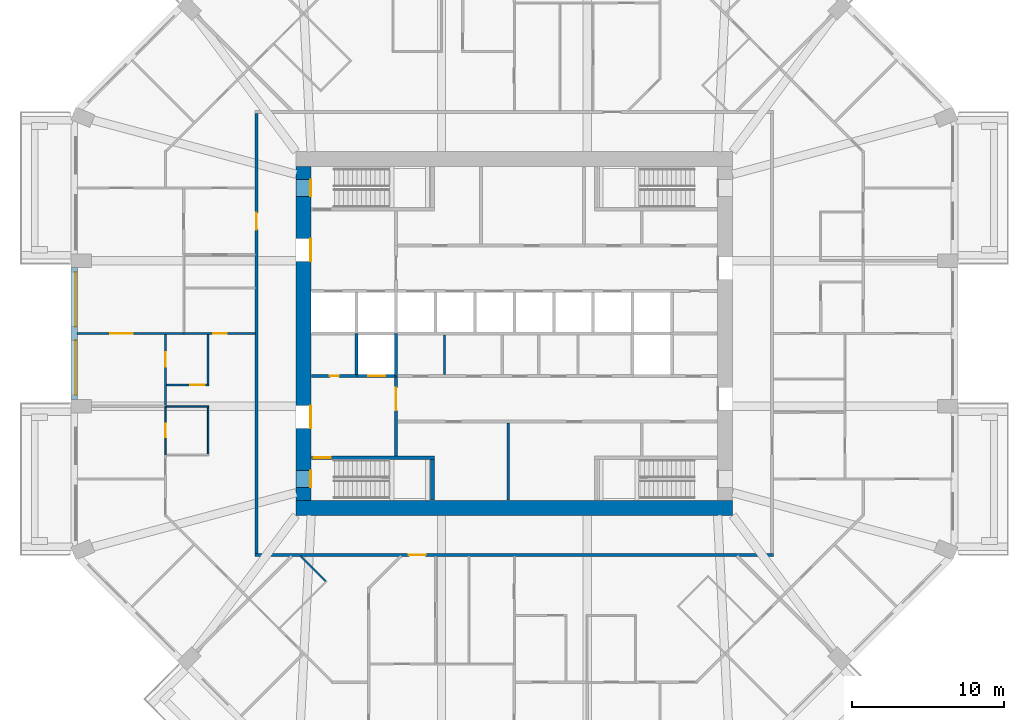
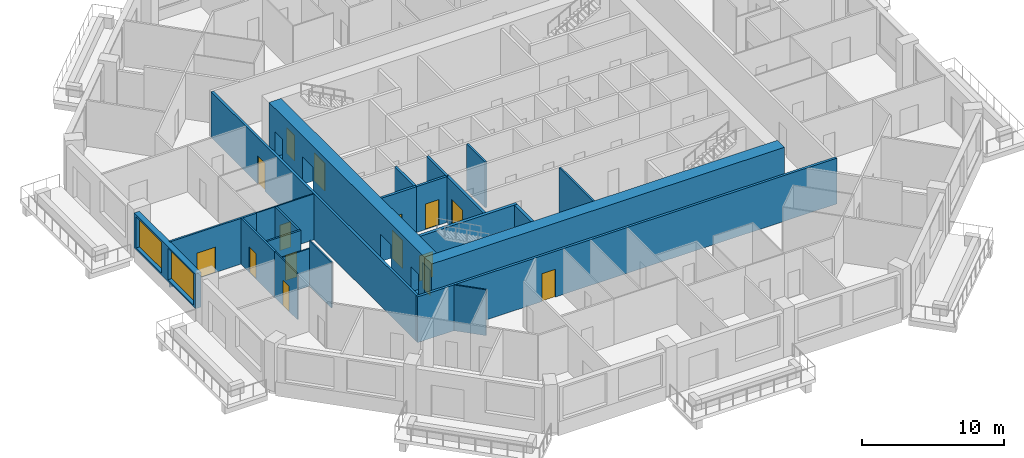
# One storey, part 4 of 13: 23 walls, 15 doors, 2 windows, 17 openings.
"""IFC4 building model written with IfcOpenShell, lengths in metres."""

from ifc_helpers import new_model, si_unit, direction, frame, frame_2d, origin, place, context, subcontext, project, spatial, rectangle, extrude, material, layer, layer_set, type_object, element, fill, save


model = new_model("IFC4")

# Units and contexts
model_context = context("Model", 3, precision=1e-05, world=origin(), true_north=direction((0.0, 1.0)))
body_context = subcontext(model_context, "Body", "Model", "MODEL_VIEW")
ifc_project = project(units=[si_unit("LENGTHUNIT", "METRE"), si_unit("AREAUNIT", "SQUARE_METRE"), si_unit("VOLUMEUNIT", "CUBIC_METRE"), si_unit("PLANEANGLEUNIT", "RADIAN"), si_unit("MASSUNIT", "GRAM", prefix="KILO")], contexts=[model_context])

# Site, building, storey
site_placement = place(None, origin())
site = spatial("IfcSite", under=ifc_project, at=site_placement, CompositionType="ELEMENT")
building_placement = place(site_placement, origin())
building = spatial("IfcBuilding", under=site, at=building_placement, Name="Msitu Wima Residences", CompositionType="ELEMENT")
storey_placement = place(building_placement, frame((0.0, 0.0, 29.699951171875)))
storey = spatial("IfcBuildingStorey", under=building, at=storey_placement, Name="L06", CompositionType="ELEMENT", Elevation=29.699951171875)

# Wall, openings, windows
ifc_material_1 = material(Name="Brick (red buff mix)", Category="masonry")
ifc_layer_1 = layer(ifc_material_1, 0.449951171875)
ifc_layer_set_1 = layer_set([ifc_layer_1], Name="Brick (red buff mix)")
wall_type_1 = type_object("IfcWallType", Name="Brick infill wall BW450", PredefinedType="SOLIDWALL", material=ifc_layer_set_1)
wall_1_placement = place(storey_placement, frame((-29.02490234375, 4.35009765625, 0.900146484375), z_axis=(0.0, 0.0, 1.0), x_axis=(0.0, -1.0, 0.0)))
wall_1 = element("IfcWall", 1, at=wall_1_placement, inside=storey, type_object=wall_type_1, Name="Brick infill wall L06 W1", PredefinedType="SOLIDWALL", context=body_context, shape_type="SweptSolid", body=[
    extrude(rectangle(XDim=8.7001953125, YDim=0.449951171875, at=frame_2d((4.35009765625, 0.0))), origin(), (0.0, 0.0, 1.0), 3.0),
])
opening_1_placement = place(wall_1_placement, frame((0.300048828125, 0.0, 0.14990234375)))
opening_1 = element("IfcOpeningElement", 2, at=opening_1_placement, cuts=wall_1, Name="Opening W05-07.028", PredefinedType="OPENING", context=body_context, shape_type="SweptSolid", body=[
    extrude(rectangle(XDim=3.60009765625, YDim=2.699951171875, at=frame_2d((1.800048828125, 1.35009765625))), frame((0.0, 0.23486328125, 0.0), z_axis=(0.0, -1.0, 0.0), x_axis=(1.0, 0.0, 0.0)), (0.0, 0.0, 1.0), 0.469970703125),
])
opening_2_placement = place(wall_1_placement, frame((4.800048828125, 0.0, 0.14990234375)))
opening_2 = element("IfcOpeningElement", 3, at=opening_2_placement, cuts=wall_1, Name="Opening W05-07.029", PredefinedType="OPENING", context=body_context, shape_type="SweptSolid", body=[
    extrude(rectangle(XDim=3.60009765625, YDim=2.699951171875, at=frame_2d((1.800048828125, 1.35009765625))), frame((0.0, 0.23486328125, 0.0), z_axis=(0.0, -1.0, 0.0), x_axis=(1.0, 0.0, 0.0)), (0.0, 0.0, 1.0), 0.469970703125),
])
ifc_material_2 = material(Name="Anodised aluminium, bronze finish, clear low-emissivity double glazing", Category="aluminium")
window_type = type_object("IfcWindowType", Name="Window W3600x2700", PartitioningType="DOUBLE_PANEL_VERTICAL", PredefinedType="WINDOW", material=ifc_material_2)
window_1_placement = place(opening_1_placement, origin())
window_1 = element("IfcWindow", 4, at=window_1_placement, inside=storey, type_object=window_type, Name="Window L06 W1.1", OverallHeight=2.699951171875, OverallWidth=3.60009765625, PartitioningType="SINGLE_PANEL", PredefinedType="WINDOW", context=body_context, shape_type="SweptSolid", body=[
    extrude(rectangle(XDim=3.60009765625, YDim=2.699951171875, at=frame_2d((1.800048828125, 1.35009765625))), frame((0.0, 0.135009765625, 0.0), z_axis=(0.0, -1.0, 0.0), x_axis=(1.0, 0.0, 0.0)), (0.0, 0.0, 1.0), 0.06005859375),
])
fill(opening_1, window_1)
window_2_placement = place(opening_2_placement, origin())
window_2 = element("IfcWindow", 5, at=window_2_placement, inside=storey, type_object=window_type, Name="Window L06 W1.2", OverallHeight=2.699951171875, OverallWidth=3.60009765625, PartitioningType="SINGLE_PANEL", PredefinedType="WINDOW", context=body_context, shape_type="SweptSolid", body=[
    extrude(rectangle(XDim=3.60009765625, YDim=2.699951171875, at=frame_2d((1.800048828125, 1.35009765625))), frame((0.0, 0.135009765625, 0.0), z_axis=(0.0, -1.0, 0.0), x_axis=(1.0, 0.0, 0.0)), (0.0, 0.0, 1.0), 0.06005859375),
])
fill(opening_2, window_2)

# Wall
ifc_material_3 = material(Name="Concrete C80/95", Category="concrete")
ifc_layer_2 = layer(ifc_material_3, 1.0)
ifc_layer_set_2 = layer_set([ifc_layer_2], Name="Concrete C80/95")
wall_type_2 = type_object("IfcWallType", Name="Core wall CW1000 C80/95", PredefinedType="SHEAR", material=ifc_layer_set_2)
wall_2_placement = place(storey_placement, frame((-14.39990234375, -11.5, 0.0), z_axis=(0.0, 0.0, 1.0), x_axis=(1.0, 0.0, 0.0)))
element("IfcWall", 6, at=wall_2_placement, inside=storey, type_object=wall_type_2, Name="Core wall", PredefinedType="SHEAR", context=body_context, shape_type="SweptSolid", body=[
    extrude(rectangle(XDim=28.7998046875, YDim=1.0, at=frame_2d((14.39990234375, 0.0))), origin(), (0.0, 0.0, 1.0), 4.199951171875),
])

# Wall, openings, doors
wall_3_placement = place(storey_placement, frame((-13.89990234375, -11.0, 0.0), z_axis=(0.0, 0.0, 1.0), x_axis=(0.0, 1.0, 0.0)))
wall_3 = element("IfcWall", 7, at=wall_3_placement, inside=storey, type_object=wall_type_2, Name="Core wall", PredefinedType="SHEAR", context=body_context, shape_type="SweptSolid", body=[
    extrude(rectangle(XDim=22.0, YDim=1.0, at=frame_2d((11.0, 0.0))), origin(), (0.0, 0.0, 1.0), 4.199951171875),
])
opening_3_placement = place(wall_3_placement, frame((20.050048828125, 0.0, 0.0)))
opening_3 = element("IfcOpeningElement", 8, at=opening_3_placement, cuts=wall_3, Name="Opening D05-07.036", PredefinedType="OPENING", context=body_context, shape_type="SweptSolid", body=[
    extrude(rectangle(XDim=1.10009765625, YDim=2.199951171875, at=frame_2d((0.550048828125, 1.10009765625))), frame((0.0, 0.510009765625, 0.0), z_axis=(0.0, -1.0, 0.0), x_axis=(1.0, 0.0, 0.0)), (0.0, 0.0, 1.0), 1.02001953125),
])
opening_4_placement = place(wall_3_placement, frame((0.85009765625, 0.0, 0.0)))
opening_4 = element("IfcOpeningElement", 9, at=opening_4_placement, cuts=wall_3, Name="Opening D05-07.038", PredefinedType="OPENING", context=body_context, shape_type="SweptSolid", body=[
    extrude(rectangle(XDim=1.10009765625, YDim=2.199951171875, at=frame_2d((0.550048828125, 1.10009765625))), frame((0.0, 0.510009765625, 0.0), z_axis=(0.0, -1.0, 0.0), x_axis=(1.0, 0.0, 0.0)), (0.0, 0.0, 1.0), 1.02001953125),
])
opening_5_placement = place(wall_3_placement, frame((15.75, 0.0, 0.0)))
opening_5 = element("IfcOpeningElement", 10, at=opening_5_placement, cuts=wall_3, Name="Opening D05-07.016", PredefinedType="OPENING", context=body_context, shape_type="SweptSolid", body=[
    extrude(rectangle(XDim=1.5, YDim=2.39990234375, at=frame_2d((0.75, 1.199951171875))), frame((0.0, 0.510009765625, 0.0), z_axis=(0.0, -1.0, 0.0), x_axis=(1.0, 0.0, 0.0)), (0.0, 0.0, 1.0), 1.02001953125),
])
opening_6_placement = place(wall_3_placement, frame((4.75, 0.0, 0.0)))
opening_6 = element("IfcOpeningElement", 11, at=opening_6_placement, cuts=wall_3, Name="Opening D05-07.018", PredefinedType="OPENING", context=body_context, shape_type="SweptSolid", body=[
    extrude(rectangle(XDim=1.5, YDim=2.39990234375, at=frame_2d((0.75, 1.199951171875))), frame((0.0, 0.510009765625, 0.0), z_axis=(0.0, -1.0, 0.0), x_axis=(1.0, 0.0, 0.0)), (0.0, 0.0, 1.0), 1.02001953125),
])
ifc_material_4 = material(Name="Steel framed glazed door, fire resisting", Category="steel")
door_type_1 = type_object("IfcDoorType", Name="Lobby door D07 1500x2400", OperationType="DOUBLE_DOOR_SINGLE_SWING", PredefinedType="DOOR", material=ifc_material_4)
door_1_placement = place(opening_5_placement, origin())
door_1 = element("IfcDoor", 12, at=door_1_placement, inside=storey, type_object=door_type_1, Name="Lobby door", OperationType="DOUBLE_DOOR_SINGLE_SWING", OverallHeight=2.39990234375, OverallWidth=1.5, PredefinedType="DOOR", context=body_context, shape_type="SweptSolid", body=[
    extrude(rectangle(XDim=1.5, YDim=2.39990234375, at=frame_2d((0.75, 1.199951171875))), frame((0.0, -0.44482421875, 0.0), z_axis=(0.0, -1.0, 0.0), x_axis=(1.0, 0.0, 0.0)), (0.0, 0.0, 1.0), 0.050048828125),
])
fill(opening_5, door_1)
door_2_placement = place(opening_6_placement, origin())
door_2 = element("IfcDoor", 13, at=door_2_placement, inside=storey, type_object=door_type_1, Name="Lobby door", OperationType="DOUBLE_DOOR_SINGLE_SWING", OverallHeight=2.39990234375, OverallWidth=1.5, PredefinedType="DOOR", context=body_context, shape_type="SweptSolid", body=[
    extrude(rectangle(XDim=1.5, YDim=2.39990234375, at=frame_2d((0.75, 1.199951171875))), frame((0.0, -0.44482421875, 0.0), z_axis=(0.0, -1.0, 0.0), x_axis=(1.0, 0.0, 0.0)), (0.0, 0.0, 1.0), 0.050048828125),
])
fill(opening_6, door_2)
ifc_material_5 = material(Name="Steel door, fire resisting, panic bar", Category="steel")
door_type_2 = type_object("IfcDoorType", Name="Stair door D06 1100x2200", OperationType="SINGLE_SWING_LEFT", PredefinedType="DOOR", material=ifc_material_5)
door_3_placement = place(opening_3_placement, origin())
door_3 = element("IfcDoor", 14, at=door_3_placement, inside=storey, type_object=door_type_2, Name="Stair door", OperationType="SINGLE_SWING_RIGHT", OverallHeight=2.199951171875, OverallWidth=1.10009765625, PredefinedType="DOOR", context=body_context, shape_type="SweptSolid", body=[
    extrude(rectangle(XDim=1.10009765625, YDim=2.199951171875, at=frame_2d((0.550048828125, 1.10009765625))), frame((0.0, -0.44482421875, 0.0), z_axis=(0.0, -1.0, 0.0), x_axis=(1.0, 0.0, 0.0)), (0.0, 0.0, 1.0), 0.050048828125),
])
fill(opening_3, door_3)
door_4_placement = place(opening_4_placement, origin())
door_4 = element("IfcDoor", 15, at=door_4_placement, inside=storey, type_object=door_type_2, Name="Stair door", OperationType="SINGLE_SWING_LEFT", OverallHeight=2.199951171875, OverallWidth=1.10009765625, PredefinedType="DOOR", context=body_context, shape_type="SweptSolid", body=[
    extrude(rectangle(XDim=1.10009765625, YDim=2.199951171875, at=frame_2d((0.550048828125, 1.10009765625))), frame((0.0, -0.44482421875, 0.0), z_axis=(0.0, -1.0, 0.0), x_axis=(1.0, 0.0, 0.0)), (0.0, 0.0, 1.0), 0.050048828125),
])
fill(opening_4, door_4)

# Wall, opening, door
ifc_material_6 = material(Name="Plaster")
ifc_layer_3 = layer(ifc_material_6, 0.011962890625, Name="Plaster")
ifc_material_7 = material(Name="Concrete blockwork", Category="masonry")
ifc_layer_4 = layer(ifc_material_7, 0.176025390625, Name="Concrete blockwork")
ifc_layer_5 = layer(ifc_material_6, 0.011962890625, Name="Plaster")
ifc_layer_set_3 = layer_set([ifc_layer_3, ifc_layer_4, ifc_layer_5], Name="Concrete blockwork")
wall_type_3 = type_object("IfcWallType", Name="Corridor wall FW200", PredefinedType="PARTITIONING", material=ifc_layer_set_3)
wall_4_placement = place(storey_placement, frame((-17.0, -14.5, 0.0), z_axis=(0.0, 0.0, 1.0), x_axis=(0.0, 1.0, 0.0)))
wall_4 = element("IfcWall", 16, at=wall_4_placement, inside=storey, type_object=wall_type_3, Name="Corridor wall", PredefinedType="PARTITIONING", context=body_context, shape_type="SweptSolid", body=[
    extrude(rectangle(XDim=29.0, YDim=0.199951171875, at=frame_2d((14.5, 0.0))), origin(), (0.0, 0.0, 1.0), 3.949951171875),
])
opening_7_placement = place(wall_4_placement, frame((21.35009765625, 0.0, 0.0)))
opening_7 = element("IfcOpeningElement", 17, at=opening_7_placement, cuts=wall_4, Name="Opening D05-07.013", PredefinedType="OPENING", context=body_context, shape_type="SweptSolid", body=[
    extrude(rectangle(XDim=1.10009765625, YDim=2.39990234375, at=frame_2d((0.550048828125, 1.199951171875))), frame((0.0, 0.10986328125, 0.0), z_axis=(0.0, -1.0, 0.0), x_axis=(1.0, 0.0, 0.0)), (0.0, 0.0, 1.0), 0.219970703125),
])
ifc_material_8 = material(Name="Timber flush door, fire resisting, self-closing", Category="wood")
door_type_3 = type_object("IfcDoorType", Name="Flat entrance door D01 1100x2400", OperationType="SINGLE_SWING_LEFT", PredefinedType="DOOR", material=ifc_material_8)
door_5_placement = place(opening_7_placement, origin())
door_5 = element("IfcDoor", 18, at=door_5_placement, inside=storey, type_object=door_type_3, Name="Flat entrance door", OperationType="SINGLE_SWING_RIGHT", OverallHeight=2.39990234375, OverallWidth=1.10009765625, PredefinedType="DOOR", context=body_context, shape_type="SweptSolid", body=[
    extrude(rectangle(XDim=1.10009765625, YDim=2.39990234375, at=frame_2d((0.550048828125, 1.199951171875))), frame((0.0, 0.02490234375, 0.0), z_axis=(0.0, -1.0, 0.0), x_axis=(1.0, 0.0, 0.0)), (0.0, 0.0, 1.0), 0.050048828125),
])
fill(opening_7, door_5)

wall_5_placement = place(storey_placement, frame((-17.10009765625, -14.60009765625, 0.0), z_axis=(0.0, 0.0, 1.0), x_axis=(1.0, 0.0, 0.0)))
wall_5 = element("IfcWall", 19, at=wall_5_placement, inside=storey, type_object=wall_type_3, Name="Corridor wall", PredefinedType="PARTITIONING", context=body_context, shape_type="SweptSolid", body=[
    extrude(rectangle(XDim=34.2001953125, YDim=0.199951171875, at=frame_2d((17.10009765625, 0.0))), origin(), (0.0, 0.0, 1.0), 3.949951171875),
])
opening_8_placement = place(wall_5_placement, frame((10.14990234375, 0.0, 0.0)))
opening_8 = element("IfcOpeningElement", 20, at=opening_8_placement, cuts=wall_5, Name="Opening D05-07.014", PredefinedType="OPENING", context=body_context, shape_type="SweptSolid", body=[
    extrude(rectangle(XDim=1.10009765625, YDim=2.39990234375, at=frame_2d((0.550048828125, 1.199951171875))), frame((0.0, 0.10986328125, 0.0), z_axis=(0.0, -1.0, 0.0), x_axis=(1.0, 0.0, 0.0)), (0.0, 0.0, 1.0), 0.219970703125),
])
door_6_placement = place(opening_8_placement, origin())
door_6 = element("IfcDoor", 21, at=door_6_placement, inside=storey, type_object=door_type_3, Name="Flat entrance door", OperationType="SINGLE_SWING_RIGHT", OverallHeight=2.39990234375, OverallWidth=1.10009765625, PredefinedType="DOOR", context=body_context, shape_type="SweptSolid", body=[
    extrude(rectangle(XDim=1.10009765625, YDim=2.39990234375, at=frame_2d((0.550048828125, 1.199951171875))), frame((0.0, 0.02490234375, 0.0), z_axis=(0.0, -1.0, 0.0), x_axis=(1.0, 0.0, 0.0)), (0.0, 0.0, 1.0), 0.050048828125),
])
fill(opening_8, door_6)

wall_6_placement = place(storey_placement, frame((-7.800048828125, -8.074951171875, 0.0), z_axis=(0.0, 0.0, 1.0), x_axis=(0.0, 1.0, 0.0)))
wall_6 = element("IfcWall", 22, at=wall_6_placement, inside=storey, type_object=wall_type_3, Name="Corridor wall", PredefinedType="PARTITIONING", context=body_context, shape_type="SweptSolid", body=[
    extrude(rectangle(XDim=5.27490234375, YDim=0.199951171875, at=frame_2d((2.637451171875, 0.0))), origin(), (0.0, 0.0, 1.0), 3.949951171875),
])
opening_9_placement = place(wall_6_placement, frame((3.0, 0.0, 0.0)))
opening_9 = element("IfcOpeningElement", 23, at=opening_9_placement, cuts=wall_6, Name="Opening D05-07.019", PredefinedType="OPENING", context=body_context, shape_type="SweptSolid", body=[
    extrude(rectangle(XDim=1.5, YDim=2.39990234375, at=frame_2d((0.75, 1.199951171875))), frame((0.0, 0.10986328125, 0.0), z_axis=(0.0, -1.0, 0.0), x_axis=(1.0, 0.0, 0.0)), (0.0, 0.0, 1.0), 0.219970703125),
])
door_7_placement = place(opening_9_placement, origin())
door_7 = element("IfcDoor", 24, at=door_7_placement, inside=storey, type_object=door_type_1, Name="Lobby door", OperationType="DOUBLE_DOOR_SINGLE_SWING", OverallHeight=2.39990234375, OverallWidth=1.5, PredefinedType="DOOR", context=body_context, shape_type="SweptSolid", body=[
    extrude(rectangle(XDim=1.5, YDim=2.39990234375, at=frame_2d((0.75, 1.199951171875))), frame((0.0, 0.02490234375, 0.0), z_axis=(0.0, -1.0, 0.0), x_axis=(1.0, 0.0, 0.0)), (0.0, 0.0, 1.0), 0.050048828125),
])
fill(opening_9, door_7)

ifc_layer_6 = layer(ifc_material_6, 0.011962890625, Name="Plaster")
ifc_layer_7 = layer(ifc_material_7, 0.1259765625, Name="Concrete blockwork")
ifc_layer_8 = layer(ifc_material_6, 0.011962890625, Name="Plaster")
ifc_layer_set_4 = layer_set([ifc_layer_6, ifc_layer_7, ifc_layer_8], Name="Concrete blockwork")
wall_type_4 = type_object("IfcWallType", Name="Partition PW150", PredefinedType="PARTITIONING", material=ifc_layer_set_4)
wall_7_placement = place(storey_placement, frame((-28.85498046875, 0.0, 0.0), z_axis=(0.0, 0.0, 1.0), x_axis=(1.0, 0.0, 0.0)))
wall_7 = element("IfcWall", 25, at=wall_7_placement, inside=storey, type_object=wall_type_4, Name="Partition", PredefinedType="PARTITIONING", context=body_context, shape_type="SweptSolid", body=[
    extrude(rectangle(XDim=7.054931640625, YDim=0.14990234375, at=frame_2d((3.52734375, 0.0))), origin(), (0.0, 0.0, 1.0), 3.949951171875),
])
opening_10_placement = place(wall_7_placement, frame((2.199951171875, 0.0, 0.0)))
opening_10 = element("IfcOpeningElement", 26, at=opening_10_placement, cuts=wall_7, Name="Opening D05-07.067", PredefinedType="OPENING", context=body_context, shape_type="SweptSolid", body=[
    extrude(rectangle(XDim=1.5, YDim=2.199951171875, at=frame_2d((0.75, 1.10009765625))), frame((0.0, 0.0849609375, 0.0), z_axis=(0.0, -1.0, 0.0), x_axis=(1.0, 0.0, 0.0)), (0.0, 0.0, 1.0), 0.169921875),
])
ifc_material_9 = material(Name="Timber double door", Category="wood")
door_type_4 = type_object("IfcDoorType", Name="Double door D04 1500x2200", OperationType="DOUBLE_DOOR_SINGLE_SWING", PredefinedType="DOOR", material=ifc_material_9)
door_8_placement = place(opening_10_placement, origin())
door_8 = element("IfcDoor", 27, at=door_8_placement, inside=storey, type_object=door_type_4, Name="Double door", OperationType="DOUBLE_DOOR_SINGLE_SWING", OverallHeight=2.199951171875, OverallWidth=1.5, PredefinedType="DOOR", context=body_context, shape_type="SweptSolid", body=[
    extrude(rectangle(XDim=1.5, YDim=2.199951171875, at=frame_2d((0.75, 1.10009765625))), frame((0.0, 0.02490234375, 0.0), z_axis=(0.0, -1.0, 0.0), x_axis=(1.0, 0.0, 0.0)), (0.0, 0.0, 1.0), 0.050048828125),
])
fill(opening_10, door_8)

wall_8_placement = place(storey_placement, frame((-23.0, -4.800048828125, 0.0), z_axis=(0.0, 0.0, 1.0), x_axis=(0.0, 1.0, 0.0)))
wall_8 = element("IfcWall", 28, at=wall_8_placement, inside=storey, type_object=wall_type_4, Name="Partition", PredefinedType="PARTITIONING", context=body_context, shape_type="SweptSolid", body=[
    extrude(rectangle(XDim=4.72509765625, YDim=0.14990234375, at=frame_2d((2.362548828125, 0.0))), origin(), (0.0, 0.0, 1.0), 3.949951171875),
])
opening_11_placement = place(wall_8_placement, frame((2.60009765625, 0.0, 0.0)))
opening_11 = element("IfcOpeningElement", 29, at=opening_11_placement, cuts=wall_8, Name="Opening D05-07.069", PredefinedType="OPENING", context=body_context, shape_type="SweptSolid", body=[
    extrude(rectangle(XDim=0.949951171875, YDim=2.199951171875, at=frame_2d((0.47509765625, 1.10009765625))), frame((0.0, 0.0849609375, 0.0), z_axis=(0.0, -1.0, 0.0), x_axis=(1.0, 0.0, 0.0)), (0.0, 0.0, 1.0), 0.169921875),
])
ifc_material_10 = material(Name="Timber flush door", Category="wood")
door_type_5 = type_object("IfcDoorType", Name="Room door D12 950x2200", OperationType="SINGLE_SWING_LEFT", PredefinedType="DOOR", material=ifc_material_10)
door_9_placement = place(opening_11_placement, origin())
door_9 = element("IfcDoor", 30, at=door_9_placement, inside=storey, type_object=door_type_5, Name="Room door", OperationType="SINGLE_SWING_RIGHT", OverallHeight=2.199951171875, OverallWidth=0.949951171875, PredefinedType="DOOR", context=body_context, shape_type="SweptSolid", body=[
    extrude(rectangle(XDim=0.949951171875, YDim=2.199951171875, at=frame_2d((0.47509765625, 1.10009765625))), frame((0.0, 0.02490234375, 0.0), z_axis=(0.0, -1.0, 0.0), x_axis=(1.0, 0.0, 0.0)), (0.0, 0.0, 1.0), 0.050048828125),
])
fill(opening_11, door_9)

wall_9_placement = place(storey_placement, frame((-22.925048828125, -3.39990234375, 0.0), z_axis=(0.0, 0.0, 1.0), x_axis=(1.0, 0.0, 0.0)))
wall_9 = element("IfcWall", 31, at=wall_9_placement, inside=storey, type_object=wall_type_4, Name="Partition", PredefinedType="PARTITIONING", context=body_context, shape_type="SweptSolid", body=[
    extrude(rectangle(XDim=2.800048828125, YDim=0.14990234375, at=frame_2d((1.39990234375, 0.0))), origin(), (0.0, 0.0, 1.0), 3.949951171875),
])
opening_12_placement = place(wall_9_placement, frame((1.550048828125, 0.0, 0.0)))
opening_12 = element("IfcOpeningElement", 32, at=opening_12_placement, cuts=wall_9, Name="Opening D05-07.071", PredefinedType="OPENING", context=body_context, shape_type="SweptSolid", body=[
    extrude(rectangle(XDim=0.949951171875, YDim=2.199951171875, at=frame_2d((0.47509765625, 1.10009765625))), frame((0.0, 0.0849609375, 0.0), z_axis=(0.0, -1.0, 0.0), x_axis=(1.0, 0.0, 0.0)), (0.0, 0.0, 1.0), 0.169921875),
])
door_10_placement = place(opening_12_placement, origin())
door_10 = element("IfcDoor", 33, at=door_10_placement, inside=storey, type_object=door_type_5, Name="Room door", OperationType="SINGLE_SWING_RIGHT", OverallHeight=2.199951171875, OverallWidth=0.949951171875, PredefinedType="DOOR", context=body_context, shape_type="SweptSolid", body=[
    extrude(rectangle(XDim=0.949951171875, YDim=2.199951171875, at=frame_2d((0.47509765625, 1.10009765625))), frame((0.0, 0.02490234375, 0.0), z_axis=(0.0, -1.0, 0.0), x_axis=(1.0, 0.0, 0.0)), (0.0, 0.0, 1.0), 0.050048828125),
])
fill(opening_12, door_10)

# Walls
wall_10_placement = place(storey_placement, frame((-20.199951171875, -3.324951171875, 0.0), z_axis=(0.0, 0.0, 1.0), x_axis=(0.0, 1.0, 0.0)))
element("IfcWall", 34, at=wall_10_placement, inside=storey, type_object=wall_type_4, Name="Partition", PredefinedType="PARTITIONING", context=body_context, shape_type="SweptSolid", body=[
    extrude(rectangle(XDim=3.27490234375, YDim=0.14990234375, at=frame_2d((1.637451171875, 0.0))), origin(), (0.0, 0.0, 1.0), 3.949951171875),
])
wall_11_placement = place(storey_placement, frame((-4.60009765625, -2.699951171875, 0.0), z_axis=(0.0, 0.0, 1.0), x_axis=(0.0, 1.0, 0.0)))
element("IfcWall", 35, at=wall_11_placement, inside=storey, type_object=wall_type_4, Name="Partition", PredefinedType="PARTITIONING", context=body_context, shape_type="SweptSolid", body=[
    extrude(rectangle(XDim=2.599853515625, YDim=0.14990234375, at=frame_2d((1.2998046875, 0.0))), origin(), (0.0, 0.0, 1.0), 3.949951171875),
])
wall_12_placement = place(storey_placement, frame((-0.39990234375, -10.969970703125, 0.0), z_axis=(0.0, 0.0, 1.0), x_axis=(0.0, 1.0, 0.0)))
element("IfcWall", 36, at=wall_12_placement, inside=storey, type_object=wall_type_4, Name="Partition", PredefinedType="PARTITIONING", context=body_context, shape_type="SweptSolid", body=[
    extrude(rectangle(XDim=5.070068359375, YDim=0.14990234375, at=frame_2d((2.53515625, 0.0))), origin(), (0.0, 0.0, 1.0), 3.949951171875),
])

# Wall, opening, door
ifc_layer_9 = layer(ifc_material_6, 0.011962890625, Name="Plaster")
ifc_material_11 = material(Name="Reinforced concrete blockwork", Category="masonry")
ifc_layer_10 = layer(ifc_material_11, 0.176025390625, Name="Reinforced concrete blockwork")
ifc_layer_11 = layer(ifc_material_6, 0.011962890625, Name="Plaster")
ifc_layer_set_5 = layer_set([ifc_layer_9, ifc_layer_10, ifc_layer_11], Name="Reinforced concrete blockwork")
wall_type_5 = type_object("IfcWallType", Name="Plant and riser wall PL200", PredefinedType="PARTITIONING", material=ifc_layer_set_5)
wall_13_placement = place(storey_placement, frame((-13.3701171875, -2.800048828125, 0.0), z_axis=(0.0, 0.0, 1.0), x_axis=(1.0, 0.0, 0.0)))
wall_13 = element("IfcWall", 37, at=wall_13_placement, inside=storey, type_object=wall_type_5, Name="Plant and riser wall", PredefinedType="PARTITIONING", context=body_context, shape_type="SweptSolid", body=[
    extrude(rectangle(XDim=2.990234375, YDim=0.199951171875, at=frame_2d((1.4951171875, 0.0))), origin(), (0.0, 0.0, 1.0), 3.949951171875),
])
opening_13_placement = place(wall_13_placement, frame((1.199951171875, 0.0, 0.0)))
opening_13 = element("IfcOpeningElement", 38, at=opening_13_placement, cuts=wall_13, Name="Opening D05-07.030", PredefinedType="OPENING", context=body_context, shape_type="SweptSolid", body=[
    extrude(rectangle(XDim=0.60009765625, YDim=2.0, at=frame_2d((0.300048828125, 1.0))), frame((0.0, 0.10986328125, 0.0), z_axis=(0.0, -1.0, 0.0), x_axis=(1.0, 0.0, 0.0)), (0.0, 0.0, 1.0), 0.219970703125),
])
ifc_material_12 = material(Name="Steel access door, fire resisting", Category="steel")
door_type_6 = type_object("IfcDoorType", Name="Riser access door D08 600x2000", OperationType="SINGLE_SWING_LEFT", PredefinedType="DOOR", material=ifc_material_12)
door_11_placement = place(opening_13_placement, origin())
door_11 = element("IfcDoor", 39, at=door_11_placement, inside=storey, type_object=door_type_6, Name="Riser access door", OperationType="SINGLE_SWING_RIGHT", OverallHeight=2.0, OverallWidth=0.60009765625, PredefinedType="DOOR", context=body_context, shape_type="SweptSolid", body=[
    extrude(rectangle(XDim=0.60009765625, YDim=2.0, at=frame_2d((0.300048828125, 1.0))), frame((0.0, 0.02490234375, 0.0), z_axis=(0.0, -1.0, 0.0), x_axis=(1.0, 0.0, 0.0)), (0.0, 0.0, 1.0), 0.050048828125),
])
fill(opening_13, door_11)

# Wall
ifc_material_13 = material(Name="Fire-rated board")
ifc_layer_12 = layer(ifc_material_13, 0.02490234375, Name="Fire-rated board")
ifc_material_14 = material(Name="Light-gauge stud framing with mineral wool")
ifc_layer_13 = layer(ifc_material_14, 0.14990234375, Name="Light-gauge stud framing with mineral wool")
ifc_layer_14 = layer(ifc_material_13, 0.02490234375, Name="Fire-rated board")
ifc_layer_set_6 = layer_set([ifc_layer_12, ifc_layer_13, ifc_layer_14], Name="Light-gauge stud framing with mineral wool")
wall_type_6 = type_object("IfcWallType", Name="Shaft wall SH200", PredefinedType="PARTITIONING", material=ifc_layer_set_6)
wall_14_placement = place(storey_placement, frame((-10.39990234375, -2.699951171875, 0.0), z_axis=(0.0, 0.0, 1.0), x_axis=(0.0, 1.0, 0.0)))
element("IfcWall", 40, at=wall_14_placement, inside=storey, type_object=wall_type_6, Name="Shaft wall", PredefinedType="PARTITIONING", context=body_context, shape_type="SweptSolid", body=[
    extrude(rectangle(XDim=2.699951171875, YDim=0.199951171875, at=frame_2d((1.35009765625, 0.0))), origin(), (0.0, 0.0, 1.0), 3.949951171875),
])

# Wall, opening, door
wall_15_placement = place(storey_placement, frame((-10.3798828125, -2.800048828125, 0.0), z_axis=(0.0, 0.0, 1.0), x_axis=(1.0, 0.0, 0.0)))
wall_15 = element("IfcWall", 41, at=wall_15_placement, inside=storey, type_object=wall_type_6, Name="Shaft wall", PredefinedType="PARTITIONING", context=body_context, shape_type="SweptSolid", body=[
    extrude(rectangle(XDim=2.559814453125, YDim=0.199951171875, at=frame_2d((1.27978515625, 0.0))), origin(), (0.0, 0.0, 1.0), 3.949951171875),
])
opening_14_placement = place(wall_15_placement, frame((0.75, 0.0, 0.0)))
opening_14 = element("IfcOpeningElement", 42, at=opening_14_placement, cuts=wall_15, Name="Opening LD", PredefinedType="OPENING", context=body_context, shape_type="SweptSolid", body=[
    extrude(rectangle(XDim=1.10009765625, YDim=2.199951171875, at=frame_2d((0.550048828125, 1.10009765625))), frame((0.0, 0.10986328125, 0.0), z_axis=(0.0, -1.0, 0.0), x_axis=(1.0, 0.0, 0.0)), (0.0, 0.0, 1.0), 0.219970703125),
])
ifc_material_15 = material(Name="Stainless steel centre-opening landing door, rated", Category="steel")
door_type_7 = type_object("IfcDoorType", Name="Lift landing door LD 1100x2200", OperationType="DOUBLE_DOOR_SLIDING", PredefinedType="DOOR", material=ifc_material_15)
door_12_placement = place(opening_14_placement, origin())
door_12 = element("IfcDoor", 43, at=door_12_placement, inside=storey, type_object=door_type_7, Name="Lift landing door LD3", OperationType="DOUBLE_DOOR_SLIDING", OverallHeight=2.199951171875, OverallWidth=1.10009765625, PredefinedType="DOOR", context=body_context, shape_type="SweptSolid", body=[
    extrude(rectangle(XDim=1.10009765625, YDim=2.199951171875, at=frame_2d((0.550048828125, 1.10009765625))), frame((0.0, 0.02490234375, 0.0), z_axis=(0.0, -1.0, 0.0), x_axis=(1.0, 0.0, 0.0)), (0.0, 0.0, 1.0), 0.050048828125),
])
fill(opening_14, door_12)

# Wall
wall_16_placement = place(storey_placement, frame((-7.800048828125, -2.800048828125, 0.0), z_axis=(0.0, 0.0, 1.0), x_axis=(0.0, 1.0, 0.0)))
element("IfcWall", 44, at=wall_16_placement, inside=storey, type_object=wall_type_6, Name="Shaft wall", PredefinedType="PARTITIONING", context=body_context, shape_type="SweptSolid", body=[
    extrude(rectangle(XDim=2.800048828125, YDim=0.199951171875, at=frame_2d((1.39990234375, 0.0))), origin(), (0.0, 0.0, 1.0), 3.949951171875),
])

# Wall, opening, door
ifc_material_16 = material(Name="Concrete C50/60", Category="concrete")
ifc_layer_15 = layer(ifc_material_16, 0.25)
ifc_layer_set_7 = layer_set([ifc_layer_15], Name="Concrete C50/60")
wall_type_7 = type_object("IfcWallType", Name="Stair enclosure wall SW250", PredefinedType="SHEAR", material=ifc_layer_set_7)
wall_17_placement = place(storey_placement, frame((-13.3701171875, -8.199951171875, 0.0), z_axis=(0.0, 0.0, 1.0), x_axis=(1.0, 0.0, 0.0)))
wall_17 = element("IfcWall", 45, at=wall_17_placement, inside=storey, type_object=wall_type_7, Name="Stair enclosure wall", PredefinedType="SHEAR", context=body_context, shape_type="SweptSolid", body=[
    extrude(rectangle(XDim=8.09521484375, YDim=0.25, at=frame_2d((4.047607421875, 0.0))), origin(), (0.0, 0.0, 1.0), 3.949951171875),
])
opening_15_placement = place(wall_17_placement, frame((0.14990234375, 0.0, 0.0)))
opening_15 = element("IfcOpeningElement", 46, at=opening_15_placement, cuts=wall_17, Name="Opening D05-07.039", PredefinedType="OPENING", context=body_context, shape_type="SweptSolid", body=[
    extrude(rectangle(XDim=1.10009765625, YDim=2.199951171875, at=frame_2d((0.550048828125, 1.10009765625))), frame((0.0, 0.135009765625, 0.0), z_axis=(0.0, -1.0, 0.0), x_axis=(1.0, 0.0, 0.0)), (0.0, 0.0, 1.0), 0.27001953125),
])
door_13_placement = place(opening_15_placement, origin())
door_13 = element("IfcDoor", 47, at=door_13_placement, inside=storey, type_object=door_type_2, Name="Stair door", OperationType="SINGLE_SWING_RIGHT", OverallHeight=2.199951171875, OverallWidth=1.10009765625, PredefinedType="DOOR", context=body_context, shape_type="SweptSolid", body=[
    extrude(rectangle(XDim=1.10009765625, YDim=2.199951171875, at=frame_2d((0.550048828125, 1.10009765625))), frame((0.0, 0.02490234375, 0.0), z_axis=(0.0, -1.0, 0.0), x_axis=(1.0, 0.0, 0.0)), (0.0, 0.0, 1.0), 0.050048828125),
])
fill(opening_15, door_13)

# Walls
wall_18_placement = place(storey_placement, frame((-5.39990234375, -10.969970703125, 0.0), z_axis=(0.0, 0.0, 1.0), x_axis=(0.0, 1.0, 0.0)))
element("IfcWall", 48, at=wall_18_placement, inside=storey, type_object=wall_type_7, Name="Stair enclosure wall", PredefinedType="SHEAR", context=body_context, shape_type="SweptSolid", body=[
    extrude(rectangle(XDim=2.64501953125, YDim=0.25, at=frame_2d((1.322509765625, 0.0))), origin(), (0.0, 0.0, 1.0), 3.949951171875),
])
ifc_material_17 = material(Name="Ceramic tiles")
ifc_layer_16 = layer(ifc_material_17, 0.008056640625, Name="Ceramic tiles")
ifc_material_18 = material(Name="Moisture-resistant board")
ifc_layer_17 = layer(ifc_material_18, 0.012451171875, Name="Moisture-resistant board")
ifc_layer_18 = layer(ifc_material_14, 0.06689453125, Name="Light-gauge stud framing with mineral wool")
ifc_layer_19 = layer(ifc_material_18, 0.012451171875, Name="Moisture-resistant board")
ifc_layer_set_8 = layer_set([ifc_layer_16, ifc_layer_17, ifc_layer_18, ifc_layer_19], Name="Light-gauge stud framing with mineral wool")
wall_type_8 = type_object("IfcWallType", Name="Wet wall PW100", PredefinedType="PARTITIONING", material=ifc_layer_set_8)
wall_19_placement = place(storey_placement, frame((-22.97998046875, -4.800048828125, 0.0), z_axis=(0.0, 0.0, 1.0), x_axis=(1.0, 0.0, 0.0)))
element("IfcWall", 49, at=wall_19_placement, inside=storey, type_object=wall_type_8, Name="Wet wall", PredefinedType="PARTITIONING", context=body_context, shape_type="SweptSolid", body=[
    extrude(rectangle(XDim=2.830078125, YDim=0.10009765625, at=frame_2d((1.4150390625, 0.0))), origin(), (0.0, 0.0, 1.0), 3.25),
])

# Wall, opening, door
wall_20_placement = place(storey_placement, frame((-23.0, -8.0, 0.0), z_axis=(0.0, 0.0, 1.0), x_axis=(0.0, 1.0, 0.0)))
wall_20 = element("IfcWall", 50, at=wall_20_placement, inside=storey, type_object=wall_type_8, Name="Wet wall", PredefinedType="PARTITIONING", context=body_context, shape_type="SweptSolid", body=[
    extrude(rectangle(XDim=3.199951171875, YDim=0.10009765625, at=frame_2d((1.60009765625, 0.0))), origin(), (0.0, 0.0, 1.0), 3.949951171875),
])
opening_16_placement = place(wall_20_placement, frame((1.14990234375, 0.0, 0.0)))
opening_16 = element("IfcOpeningElement", 51, at=opening_16_placement, cuts=wall_20, Name="Opening D05-07.074", PredefinedType="OPENING", context=body_context, shape_type="SweptSolid", body=[
    extrude(rectangle(XDim=0.89990234375, YDim=2.199951171875, at=frame_2d((0.449951171875, 1.10009765625))), frame((0.0, 0.06005859375, 0.0), z_axis=(0.0, -1.0, 0.0), x_axis=(1.0, 0.0, 0.0)), (0.0, 0.0, 1.0), 0.1201171875),
])
ifc_material_19 = material(Name="Timber flush door, moisture resistant", Category="wood")
door_type_8 = type_object("IfcDoorType", Name="Bathroom door D03 900x2200", OperationType="SINGLE_SWING_LEFT", PredefinedType="DOOR", material=ifc_material_19)
door_14_placement = place(opening_16_placement, origin())
door_14 = element("IfcDoor", 52, at=door_14_placement, inside=storey, type_object=door_type_8, Name="Bathroom door", OperationType="SINGLE_SWING_RIGHT", OverallHeight=2.199951171875, OverallWidth=0.89990234375, PredefinedType="DOOR", context=body_context, shape_type="SweptSolid", body=[
    extrude(rectangle(XDim=0.89990234375, YDim=2.199951171875, at=frame_2d((0.449951171875, 1.10009765625))), frame((0.0, 0.02490234375, 0.0), z_axis=(0.0, -1.0, 0.0), x_axis=(1.0, 0.0, 0.0)), (0.0, 0.0, 1.0), 0.050048828125),
])
fill(opening_16, door_14)

wall_21_placement = place(storey_placement, frame((-21.800048828125, 0.0, 0.0), z_axis=(0.0, 0.0, 1.0), x_axis=(1.0, 0.0, 0.0)))
wall_21 = element("IfcWall", 53, at=wall_21_placement, inside=storey, type_object=wall_type_8, Name="Wet wall", PredefinedType="PARTITIONING", context=body_context, shape_type="SweptSolid", body=[
    extrude(rectangle(XDim=4.699951171875, YDim=0.10009765625, at=frame_2d((2.35009765625, 0.0))), origin(), (0.0, 0.0, 1.0), 3.949951171875),
])
opening_17_placement = place(wall_21_placement, frame((1.949951171875, 0.0, 0.0)))
opening_17 = element("IfcOpeningElement", 54, at=opening_17_placement, cuts=wall_21, Name="Opening D05-07.076", PredefinedType="OPENING", context=body_context, shape_type="SweptSolid", body=[
    extrude(rectangle(XDim=0.89990234375, YDim=2.199951171875, at=frame_2d((0.449951171875, 1.10009765625))), frame((0.0, 0.06005859375, 0.0), z_axis=(0.0, -1.0, 0.0), x_axis=(1.0, 0.0, 0.0)), (0.0, 0.0, 1.0), 0.1201171875),
])
door_15_placement = place(opening_17_placement, origin())
door_15 = element("IfcDoor", 55, at=door_15_placement, inside=storey, type_object=door_type_8, Name="Bathroom door", OperationType="SINGLE_SWING_RIGHT", OverallHeight=2.199951171875, OverallWidth=0.89990234375, PredefinedType="DOOR", context=body_context, shape_type="SweptSolid", body=[
    extrude(rectangle(XDim=0.89990234375, YDim=2.199951171875, at=frame_2d((0.449951171875, 1.10009765625))), frame((0.0, 0.02490234375, 0.0), z_axis=(0.0, -1.0, 0.0), x_axis=(1.0, 0.0, 0.0)), (0.0, 0.0, 1.0), 0.050048828125),
])
fill(opening_17, door_15)

# Walls
wall_22_placement = place(storey_placement, frame((-20.199951171875, -7.949951171875, 0.0), z_axis=(0.0, 0.0, 1.0), x_axis=(0.0, 1.0, 0.0)))
element("IfcWall", 56, at=wall_22_placement, inside=storey, type_object=wall_type_8, Name="Wet wall", PredefinedType="PARTITIONING", context=body_context, shape_type="SweptSolid", body=[
    extrude(rectangle(XDim=3.099853515625, YDim=0.10009765625, at=frame_2d((1.5498046875, 0.0))), origin(), (0.0, 0.0, 1.0), 3.949951171875),
])
wall_23_placement = place(storey_placement, frame((-14.104248046875, -14.670654296875, 0.0), z_axis=(0.0, 0.0, 1.0), x_axis=(0.707106781187, -0.707106781187, 0.0)))
element("IfcWall", 57, at=wall_23_placement, inside=storey, type_object=wall_type_8, Name="Wet wall", PredefinedType="PARTITIONING", context=body_context, shape_type="SweptSolid", body=[
    extrude(rectangle(XDim=2.349609375, YDim=0.10009765625, at=frame_2d((1.1748046875, 0.0))), origin(), (0.0, 0.0, 1.0), 3.949951171875),
])

save(model, "model.ifc")
